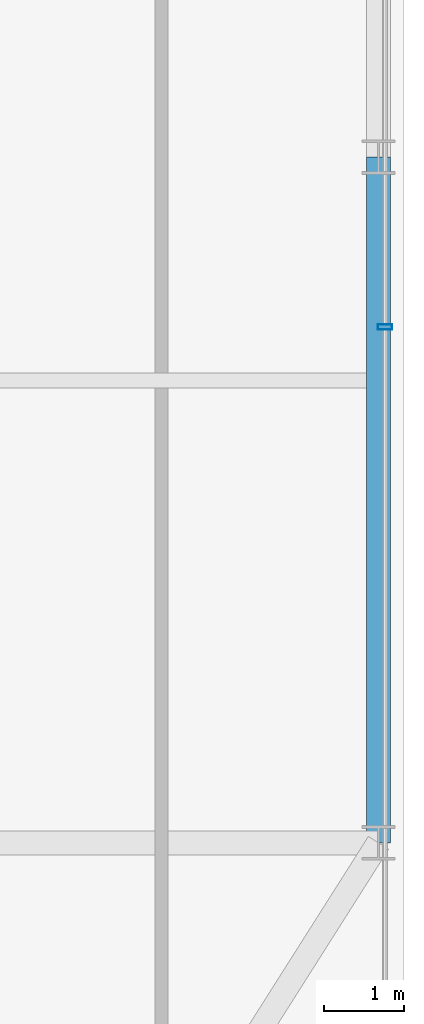
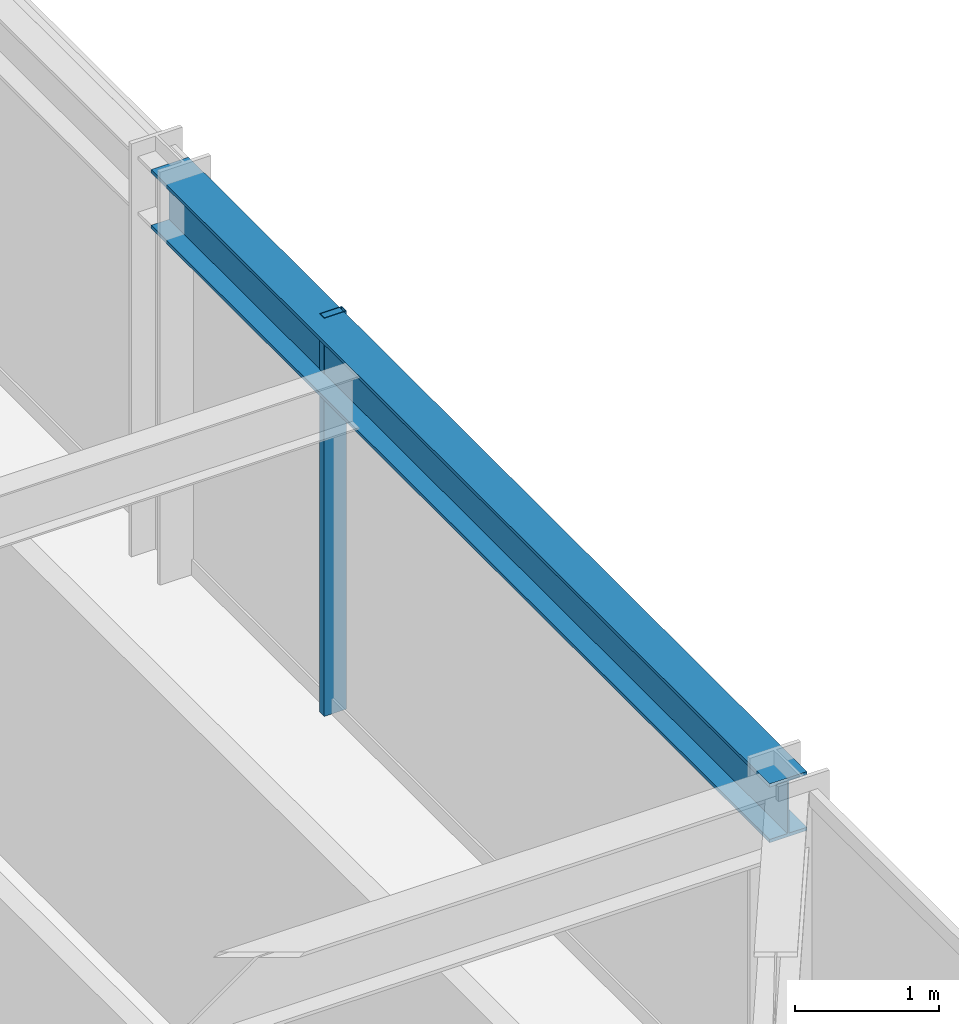
# One storey, part 13 of 39: 1 beam, 1 member, 1 element without a shape of its own.
"""IFC4 building model written with IfcOpenShell, lengths in metres."""

from ifc_helpers import new_model, si_unit, direction, frame, origin, origin_2d, place, context, subcontext, project, spatial, hollow_rectangle, i_section, extrude, source, transform, mapped, material, material_profile, profile_set, type_object, element, aggregate, save


model = new_model("IFC4")

# Units and contexts
model_context = context("Model", 3, precision=1e-05, world=origin(), true_north=direction((0.0, 1.0)))
body_context = subcontext(model_context, "Body", "Model", "MODEL_VIEW")
ifc_project = project(units=[si_unit("LENGTHUNIT", "METRE"), si_unit("AREAUNIT", "SQUARE_METRE"), si_unit("VOLUMEUNIT", "CUBIC_METRE"), si_unit("PLANEANGLEUNIT", "RADIAN"), si_unit("MASSUNIT", "GRAM", prefix="KILO")], contexts=[model_context])

# Site, building, storey
site_placement = place(None, origin())
site = spatial("IfcSite", under=ifc_project, at=site_placement, CompositionType="ELEMENT")
building_placement = place(site_placement, origin())
building = spatial("IfcBuilding", under=site, at=building_placement, Name="Nahalor Promenade Grand Hotel", CompositionType="ELEMENT")
storey_placement = place(building_placement, frame((0.0, 0.0, 135.75)))
storey = spatial("IfcBuildingStorey", under=building, at=storey_placement, Name="L34", CompositionType="ELEMENT", Elevation=135.75)

# Beam
ifc_material_1 = material(Name="Steel S355JR", Category="steel")
ifc_material_profile_1 = material_profile(ifc_material_1, i_section(OverallWidth=0.3, OverallDepth=0.5, WebThickness=0.0145, FlangeThickness=0.028, at=origin_2d()), Name="HEB 500")
ifc_profile_set_1 = profile_set([ifc_material_profile_1], Name="Steel S355JR")
beam_type = type_object("IfcBeamType", Name="Beam-Spandrel-HEB500", PredefinedType="SPANDREL", material=ifc_profile_set_1)
shared_shape_1 = source(origin(), body_context, "Body", "SweptSolid", [
    extrude(i_section(OverallWidth=0.3, OverallDepth=0.5, WebThickness=0.0145, FlangeThickness=0.028, at=origin_2d()), origin(), (0.0, 0.0, 1.0), 8.60009765625),
])
beam_placement = place(storey_placement, frame((23.780029296875, -17.0, 3.1298828125), z_axis=(0.0, 1.0, 0.0), x_axis=(-1.0, 0.0, 0.0)))
element("IfcBeam", 1, at=beam_placement, inside=storey, type_object=beam_type, Name="BM-L34-SP-E-0", PredefinedType="SPANDREL", context=body_context, shape_type="MappedRepresentation", body=[
    mapped(shared_shape_1, transform((0.0, 0.0, 0.0), scale=1.0)),
])

# Curtain wall, member
ifc_material_2 = material(Name="Anodised Bronze Aluminium EN AW-6063 T6", Category="aluminium")
curtain_wall_type = type_object("IfcCurtainWallType", Name="CW2 Typical Hotel Flush Bronze Unitised Curtain Wall", PredefinedType="USERDEFINED", material=ifc_material_2)
curtain_wall_placement = place(storey_placement, origin())
curtain_wall = element("IfcCurtainWall", 2, at=curtain_wall_placement, inside=storey, type_object=curtain_wall_type, Name="L34 Curtain Wall CW-L34-E-1", ObjectType="UNITISED_CURTAIN_WALL", PredefinedType="USERDEFINED")
ifc_material_profile_2 = material_profile(ifc_material_2, hollow_rectangle(XDim=0.065, YDim=0.18, WallThickness=0.004, at=origin_2d()), Name="CWM 65x180x4")
ifc_profile_set_2 = profile_set([ifc_material_profile_2], Name="Anodised Bronze Aluminium EN AW-6063 T6")
member_type = type_object("IfcMemberType", Name="CWM2 Typical Bronze Mullion 65x180", PredefinedType="MULLION", material=ifc_profile_set_2)
shared_shape_2 = source(origin(), body_context, "Body", "SweptSolid", [
    extrude(hollow_rectangle(XDim=0.065, YDim=0.18, WallThickness=0.004, at=origin_2d()), origin(), (0.0, 0.0, 1.0), 3.3798828125),
])
member_placement = place(storey_placement, frame((23.860107421875, -10.530029296875, 0.0), z_axis=(0.0, 0.0, 1.0), x_axis=(0.0, 1.0, 0.0)))
member = element("IfcMember", 3, at=member_placement, type_object=member_type, Name="CW-L34-E-1 Mullion 1", PredefinedType="MULLION", context=body_context, shape_type="MappedRepresentation", body=[
    mapped(shared_shape_2, transform((0.0, 0.0, 0.0), scale=1.0)),
])
aggregate(curtain_wall, [member])

save(model, "model.ifc")
